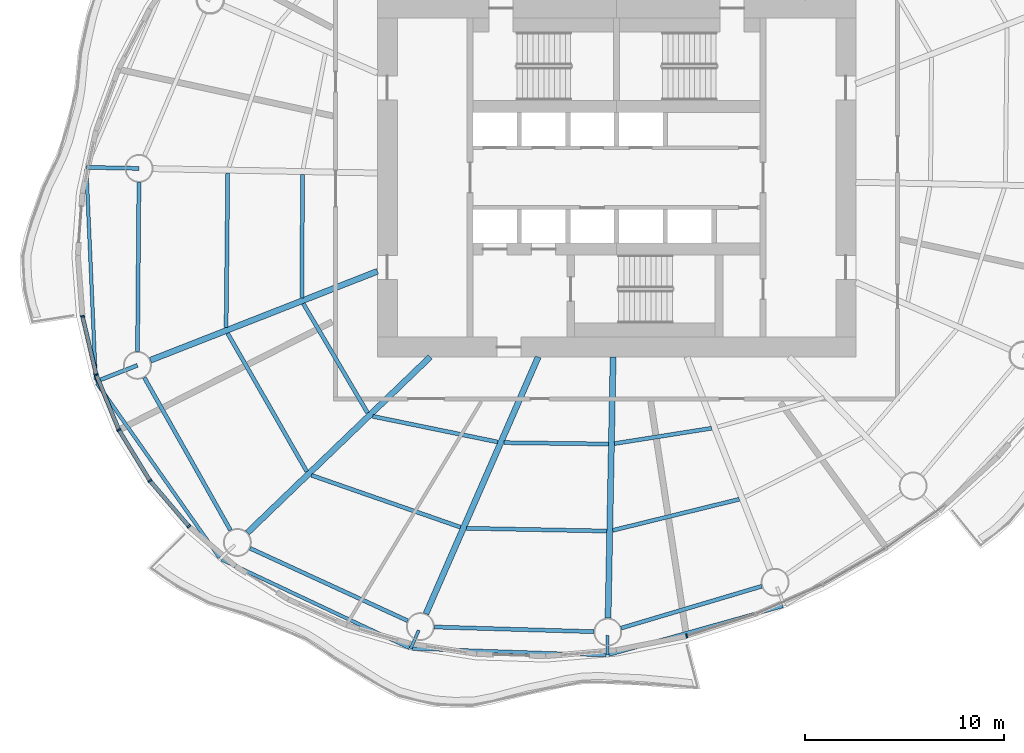
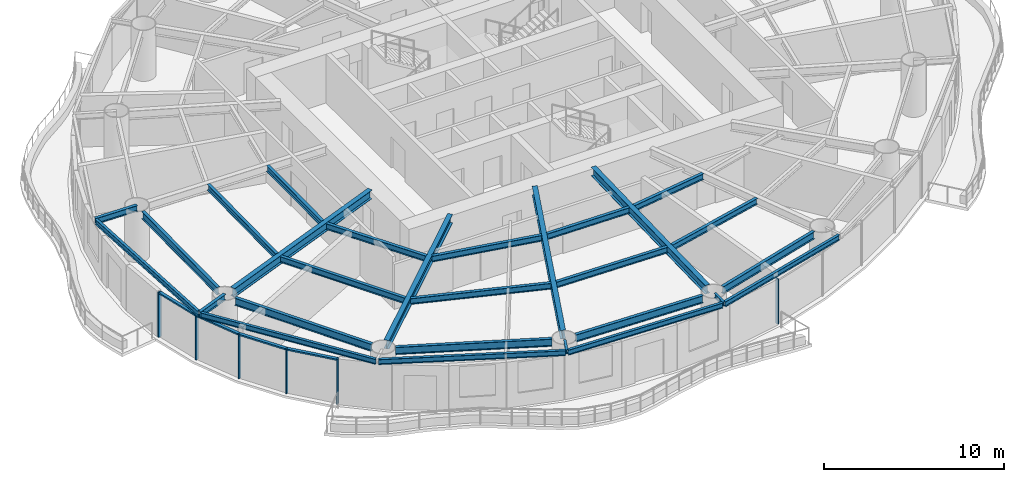
# One storey, part 2 of 14: 28 beams, 10 members, 5 elements without a shape of their own.
"""IFC4 building model written with IfcOpenShell, lengths in metres."""

from ifc_helpers import new_model, si_unit, direction, frame, origin, origin_2d, place, context, subcontext, project, spatial, rectangle, i_section, extrude, material, material_profile, profile_set, type_object, element, aggregate, save


model = new_model("IFC4")

# Units and contexts
model_context = context("Model", 3, precision=1e-05, world=origin(), true_north=direction((0.0, 1.0)))
body_context = subcontext(model_context, "Body", "Model", "MODEL_VIEW")
ifc_project = project(units=[si_unit("LENGTHUNIT", "METRE"), si_unit("AREAUNIT", "SQUARE_METRE"), si_unit("VOLUMEUNIT", "CUBIC_METRE"), si_unit("PLANEANGLEUNIT", "RADIAN"), si_unit("MASSUNIT", "GRAM", prefix="KILO")], contexts=[model_context])

# Site, building, storey
site_placement = place(None, origin())
site = spatial("IfcSite", under=ifc_project, at=site_placement, CompositionType="ELEMENT")
building_placement = place(site_placement, origin())
building = spatial("IfcBuilding", under=site, at=building_placement, Name="Vermilion Reach Broadcast Tower", CompositionType="ELEMENT")
storey_placement = place(building_placement, frame((0.0, 0.0, 143.39990234375)))
storey = spatial("IfcBuildingStorey", under=building, at=storey_placement, Name="L33", CompositionType="ELEMENT", Elevation=143.39990234375)

# Beams
ifc_material_1 = material(Name="Steel S355J2", Category="steel")
ifc_material_profile_1 = material_profile(ifc_material_1, i_section(OverallWidth=0.175048828125, OverallDepth=0.35009765625, WebThickness=0.007080078125, FlangeThickness=0.010986328125, at=origin_2d()), Name="S355J2 HN 350x175x7x11")
ifc_profile_set_1 = profile_set([ifc_material_profile_1], Name="Steel S355J2")
beam_type_1 = type_object("IfcBeamType", Name="EB3 HN 350x175x7x11", PredefinedType="BEAM", material=ifc_profile_set_1)
beam_1_placement = place(storey_placement, frame((-32.599609375, 0.415283203125, 3.275146484375), z_axis=(0.044157954305, -0.999024561796, 0.0), x_axis=(0.999024561796, 0.044157954305, 0.0)))
element("IfcBeam", 1, at=beam_1_placement, inside=storey, type_object=beam_type_1, Name="Edge beam EB3-07", PredefinedType="BEAM", context=body_context, shape_type="SweptSolid", body=[
    extrude(i_section(OverallWidth=0.175048828125, OverallDepth=0.35009765625, WebThickness=0.007080078125, FlangeThickness=0.010986328125, at=origin_2d()), origin(), (0.0, 0.0, 1.0), 10.554443359375),
])
beam_2_placement = place(storey_placement, frame((-32.069580078125, -10.31884765625, 3.275146484375), z_axis=(0.574897985986, -0.818225094769, 0.0), x_axis=(0.818225094769, 0.574897985986, 0.0)))
element("IfcBeam", 2, at=beam_2_placement, inside=storey, type_object=beam_type_1, Name="Edge beam EB3-08", PredefinedType="BEAM", context=body_context, shape_type="SweptSolid", body=[
    extrude(i_section(OverallWidth=0.175048828125, OverallDepth=0.35009765625, WebThickness=0.007080078125, FlangeThickness=0.010986328125, at=origin_2d()), origin(), (0.0, 0.0, 1.0), 10.6875),
])
beam_3_placement = place(storey_placement, frame((-25.80908203125, -19.16015625, 3.275146484375), z_axis=(0.904708610633, -0.426030902455, 0.0), x_axis=(0.426030902455, 0.904708610633, 0.0)))
element("IfcBeam", 3, at=beam_3_placement, inside=storey, type_object=beam_type_1, Name="Edge beam EB3-09", PredefinedType="BEAM", context=body_context, shape_type="SweptSolid", body=[
    extrude(i_section(OverallWidth=0.175048828125, OverallDepth=0.35009765625, WebThickness=0.007080078125, FlangeThickness=0.010986328125, at=origin_2d()), origin(), (0.0, 0.0, 1.0), 10.40625),
])
beam_4_placement = place(storey_placement, frame((-16.24609375, -23.628173828125, 3.275146484375), z_axis=(0.99942574516, -0.033884803553, 0.0), x_axis=(0.033884803553, 0.99942574516, 0.0)))
element("IfcBeam", 4, at=beam_4_placement, inside=storey, type_object=beam_type_1, Name="Edge beam EB3-10", PredefinedType="BEAM", context=body_context, shape_type="SweptSolid", body=[
    extrude(i_section(OverallWidth=0.175048828125, OverallDepth=0.35009765625, WebThickness=0.007080078125, FlangeThickness=0.010986328125, at=origin_2d()), origin(), (0.0, 0.0, 1.0), 9.71240234375),
])
beam_5_placement = place(storey_placement, frame((-6.388916015625, -23.938720703125, 3.275146484375), z_axis=(0.962993947265, 0.269523018554, 0.0), x_axis=(-0.269523018554, 0.962993947265, 0.0)))
element("IfcBeam", 5, at=beam_5_placement, inside=storey, type_object=beam_type_1, Name="Edge beam EB3-11", PredefinedType="BEAM", context=body_context, shape_type="SweptSolid", body=[
    extrude(i_section(OverallWidth=0.175048828125, OverallDepth=0.35009765625, WebThickness=0.007080078125, FlangeThickness=0.010986328125, at=origin_2d()), origin(), (0.0, 0.0, 1.0), 9.063720703125),
])
ifc_material_2 = material(Name="Steel S355J2", Category="steel")
ifc_material_profile_2 = material_profile(ifc_material_2, i_section(OverallWidth=0.300048828125, OverallDepth=0.587890625, WebThickness=0.011962890625, FlangeThickness=0.02001953125, at=origin_2d()), Name="S355J2 HM 588x300x12x20")
ifc_profile_set_2 = profile_set([ifc_material_profile_2], Name="Steel S355J2")
beam_type_2 = type_object("IfcBeamType", Name="G3 HM 588x300x12x20", PredefinedType="BEAM", material=ifc_profile_set_2)
beam_6_placement = place(storey_placement, frame((-18.0, -4.700439453125, 3.156005859375), z_axis=(-0.931124635714, -0.364701128004, 0.0), x_axis=(0.364701128004, -0.931124635714, 0.0)))
element("IfcBeam", 6, at=beam_6_placement, inside=storey, type_object=beam_type_2, Name="Girder G3-08", PredefinedType="BEAM", context=body_context, shape_type="SweptSolid", body=[
    extrude(i_section(OverallWidth=0.300048828125, OverallDepth=0.587890625, WebThickness=0.011962890625, FlangeThickness=0.02001953125, at=origin_2d()), origin(), (0.0, 0.0, 1.0), 12.231201171875),
])
beam_7_placement = place(storey_placement, frame((-15.355712890625, -9.0, 3.156005859375), z_axis=(-0.720670374476, -0.693277874559, 0.0), x_axis=(0.693277874559, -0.720670374476, 0.0)))
element("IfcBeam", 7, at=beam_7_placement, inside=storey, type_object=beam_type_2, Name="Girder G3-09", PredefinedType="BEAM", context=body_context, shape_type="SweptSolid", body=[
    extrude(i_section(OverallWidth=0.300048828125, OverallDepth=0.587890625, WebThickness=0.011962890625, FlangeThickness=0.02001953125, at=origin_2d()), origin(), (0.0, 0.0, 1.0), 12.718505859375),
])
beam_8_placement = place(storey_placement, frame((-9.933837890625, -9.0, 3.156005859375), z_axis=(-0.400519113205, -0.916288404356, 0.0), x_axis=(0.916288404356, -0.400519113205, 0.0)))
element("IfcBeam", 8, at=beam_8_placement, inside=storey, type_object=beam_type_2, Name="Girder G3-10", PredefinedType="BEAM", context=body_context, shape_type="SweptSolid", body=[
    extrude(i_section(OverallWidth=0.300048828125, OverallDepth=0.587890625, WebThickness=0.011962890625, FlangeThickness=0.02001953125, at=origin_2d()), origin(), (0.0, 0.0, 1.0), 14.0595703125),
])
beam_9_placement = place(storey_placement, frame((-6.17431640625, -9.0, 3.156005859375), z_axis=(-0.019378372481, -0.99981222171, 0.0), x_axis=(0.99981222171, -0.019378372481, 0.0)))
element("IfcBeam", 9, at=beam_9_placement, inside=storey, type_object=beam_type_2, Name="Girder G3-11", PredefinedType="BEAM", context=body_context, shape_type="SweptSolid", body=[
    extrude(i_section(OverallWidth=0.300048828125, OverallDepth=0.587890625, WebThickness=0.011962890625, FlangeThickness=0.02001953125, at=origin_2d()), origin(), (0.0, 0.0, 1.0), 13.1025390625),
])
ifc_material_3 = material(Name="Steel S355J2", Category="steel")
ifc_material_profile_3 = material_profile(ifc_material_3, i_section(OverallWidth=0.199951171875, OverallDepth=0.39990234375, WebThickness=0.008056640625, FlangeThickness=0.012939453125, at=origin_2d()), Name="S355J2 HN 400x200x8x13")
ifc_profile_set_3 = profile_set([ifc_material_profile_3], Name="Steel S355J2")
beam_type_3 = type_object("IfcBeamType", Name="GC3 HN 400x200x8x13", PredefinedType="BEAM", material=ifc_profile_set_3)
beam_10_placement = place(storey_placement, frame((-29.95947265625, 0.464111328125, 3.25), z_axis=(-0.999812125046, 0.019383359145, 0.0), x_axis=(-0.019383359145, -0.999812125046, 0.0)))
element("IfcBeam", 10, at=beam_10_placement, inside=storey, type_object=beam_type_3, Name="Cantilever girder GC3-07", PredefinedType="BEAM", context=body_context, shape_type="SweptSolid", body=[
    extrude(i_section(OverallWidth=0.199951171875, OverallDepth=0.39990234375, WebThickness=0.008056640625, FlangeThickness=0.012939453125, at=origin_2d()), origin(), (0.0, 0.0, 1.0), 2.64501953125),
])
beam_11_placement = place(storey_placement, frame((-30.04052734375, -9.41650390625, 3.25), z_axis=(-0.931102990664, -0.364756385517, 0.0), x_axis=(0.364756385517, -0.931102990664, 0.0)))
element("IfcBeam", 11, at=beam_11_placement, inside=storey, type_object=beam_type_3, Name="Cantilever girder GC3-08", PredefinedType="BEAM", context=body_context, shape_type="SweptSolid", body=[
    extrude(i_section(OverallWidth=0.199951171875, OverallDepth=0.39990234375, WebThickness=0.008056640625, FlangeThickness=0.012939453125, at=origin_2d()), origin(), (0.0, 0.0, 1.0), 2.242919921875),
])
ifc_material_4 = material(Name="Steel S355J2", Category="steel")
ifc_material_profile_4 = material_profile(ifc_material_4, i_section(OverallWidth=0.14990234375, OverallDepth=0.300048828125, WebThickness=0.006591796875, FlangeThickness=0.009033203125, at=origin_2d()), Name="S355J2 HN 300x150x6.5x9")
ifc_profile_set_4 = profile_set([ifc_material_profile_4], Name="Steel S355J2")
beam_type_4 = type_object("IfcBeamType", Name="GS3 HN 300x150x6.5x9", PredefinedType="BEAM", material=ifc_profile_set_4)
for number, where, z_axis, x_axis, name in (
    (12, (-15.926025390625, -22.709228515625, 3.300048828125), (-0.400626718411, -0.916241361485, 0.0), (0.916241361485, -0.400626718411, 0.0), "Cantilever stub GS3-10"),
    (13, (-6.44482421875, -22.9599609375, 3.300048828125), (-0.019532292583, -0.999809226576, 0.0), (0.999809226576, -0.019532292583, 0.0), "Cantilever stub GS3-11"),
):
    element("IfcBeam", number, at=place(storey_placement, frame(where, z_axis=z_axis, x_axis=x_axis)), inside=storey, type_object=beam_type_4, Name=name, PredefinedType="BEAM", context=body_context, shape_type="SweptSolid", body=[
        extrude(i_section(OverallWidth=0.14990234375, OverallDepth=0.300048828125, WebThickness=0.006591796875, FlangeThickness=0.009033203125, at=origin_2d()), origin(), (0.0, 0.0, 1.0), 1.0),
    ])
ifc_material_5 = material(Name="Steel S355J2", Category="steel")
ifc_material_profile_5 = material_profile(ifc_material_5, i_section(OverallWidth=0.199951171875, OverallDepth=0.5, WebThickness=0.010009765625, FlangeThickness=0.01611328125, at=origin_2d()), Name="S355J2 HN 500x200x10x16")
ifc_profile_set_5 = profile_set([ifc_material_profile_5], Name="Steel S355J2")
beam_type_5 = type_object("IfcBeamType", Name="RB3 HN 500x200x10x16", PredefinedType="BEAM", material=ifc_profile_set_5)
beam_12_placement = place(storey_placement, frame((-29.965087890625, -0.23583984375, 3.2001953125), z_axis=(-0.008204232036, -0.999966344722, 0.0), x_axis=(0.999966344722, -0.008204232036, 0.0)))
element("IfcBeam", 14, at=beam_12_placement, inside=storey, type_object=beam_type_5, Name="Ring beam RB3-07", PredefinedType="BEAM", context=body_context, shape_type="SweptSolid", body=[
    extrude(i_section(OverallWidth=0.199951171875, OverallDepth=0.5, WebThickness=0.010009765625, FlangeThickness=0.01611328125, at=origin_2d()), origin(), (0.0, 0.0, 1.0), 8.48095703125),
])
beam_13_placement = place(storey_placement, frame((-29.696533203125, -10.026123046875, 3.2001953125), z_axis=(0.491466825026, -0.870896296869, 0.0), x_axis=(0.870896296869, 0.491466825026, 0.0)))
element("IfcBeam", 15, at=beam_13_placement, inside=storey, type_object=beam_type_5, Name="Ring beam RB3-08", PredefinedType="BEAM", context=body_context, shape_type="SweptSolid", body=[
    extrude(i_section(OverallWidth=0.199951171875, OverallDepth=0.5, WebThickness=0.010009765625, FlangeThickness=0.01611328125, at=origin_2d()), origin(), (0.0, 0.0, 1.0), 8.803466796875),
])
beam_14_placement = place(storey_placement, frame((-24.389892578125, -18.594970703125, 3.2001953125), z_axis=(0.908546241769, -0.417784306272, 0.0), x_axis=(0.417784306272, 0.908546241769, 0.0)))
element("IfcBeam", 16, at=beam_14_placement, inside=storey, type_object=beam_type_5, Name="Ring beam RB3-09", PredefinedType="BEAM", context=body_context, shape_type="SweptSolid", body=[
    extrude(i_section(OverallWidth=0.199951171875, OverallDepth=0.5, WebThickness=0.010009765625, FlangeThickness=0.01611328125, at=origin_2d()), origin(), (0.0, 0.0, 1.0), 8.704833984375),
])
beam_15_placement = place(storey_placement, frame((-15.1455078125, -22.544677734375, 3.2001953125), z_axis=(0.999569781146, -0.029330063427, 0.0), x_axis=(0.029330063427, 0.999569781146, 0.0)))
element("IfcBeam", 17, at=beam_15_placement, inside=storey, type_object=beam_type_5, Name="Ring beam RB3-10", PredefinedType="BEAM", context=body_context, shape_type="SweptSolid", body=[
    extrude(i_section(OverallWidth=0.199951171875, OverallDepth=0.5, WebThickness=0.010009765625, FlangeThickness=0.01611328125, at=origin_2d()), origin(), (0.0, 0.0, 1.0), 8.007568359375),
])
beam_16_placement = place(storey_placement, frame((-5.770751953125, -22.60009765625, 3.2001953125), z_axis=(0.958416970322, 0.285371531516, 0.0), x_axis=(-0.285371531516, 0.958416970322, 0.0)))
element("IfcBeam", 18, at=beam_16_placement, inside=storey, type_object=beam_type_5, Name="Ring beam RB3-11", PredefinedType="BEAM", context=body_context, shape_type="SweptSolid", body=[
    extrude(i_section(OverallWidth=0.199951171875, OverallDepth=0.5, WebThickness=0.010009765625, FlangeThickness=0.01611328125, at=origin_2d()), origin(), (0.0, 0.0, 1.0), 7.357421875),
])
ifc_material_6 = material(Name="Steel S355J2", Category="steel")
ifc_material_profile_6 = material_profile(ifc_material_6, i_section(OverallWidth=0.199951171875, OverallDepth=0.39990234375, WebThickness=0.008056640625, FlangeThickness=0.012939453125, at=origin_2d()), Name="S355J2 HN 400x200x8x13")
ifc_profile_set_6 = profile_set([ifc_material_profile_6], Name="Steel S355J2")
beam_type_6 = type_object("IfcBeamType", Name="SB3 HN 400x200x8x13", PredefinedType="BEAM", material=ifc_profile_set_6)
beam_17_placement = place(storey_placement, frame((-21.754150390625, 0.1552734375, 3.25), z_axis=(-0.006635449147, -0.999977985165, 0.0), x_axis=(0.999977985165, -0.006635449147, 0.0)))
element("IfcBeam", 19, at=beam_17_placement, inside=storey, type_object=beam_type_6, Name="Secondary beam SB3-07-1", PredefinedType="BEAM", context=body_context, shape_type="SweptSolid", body=[
    extrude(i_section(OverallWidth=0.199951171875, OverallDepth=0.39990234375, WebThickness=0.008056640625, FlangeThickness=0.012939453125, at=origin_2d()), origin(), (0.0, 0.0, 1.0), 6.181396484375),
])
beam_18_placement = place(storey_placement, frame((-25.508056640625, 0.22802734375, 3.25), z_axis=(-0.010691708672, -0.999942842049, 0.0), x_axis=(0.999942842049, -0.010691708672, 0.0)))
element("IfcBeam", 20, at=beam_18_placement, inside=storey, type_object=beam_type_6, Name="Secondary beam SB3-07-2", PredefinedType="BEAM", context=body_context, shape_type="SweptSolid", body=[
    extrude(i_section(OverallWidth=0.199951171875, OverallDepth=0.39990234375, WebThickness=0.008056640625, FlangeThickness=0.012939453125, at=origin_2d()), origin(), (0.0, 0.0, 1.0), 7.740966796875),
])
beam_19_placement = place(storey_placement, frame((-21.71923828125, -6.318115234375, 3.25), z_axis=(0.507249643612, -0.861799163991, 0.0), x_axis=(0.861799163991, 0.507249643612, 0.0)))
element("IfcBeam", 21, at=beam_19_placement, inside=storey, type_object=beam_type_6, Name="Secondary beam SB3-08-1", PredefinedType="BEAM", context=body_context, shape_type="SweptSolid", body=[
    extrude(i_section(OverallWidth=0.199951171875, OverallDepth=0.39990234375, WebThickness=0.008056640625, FlangeThickness=0.012939453125, at=origin_2d()), origin(), (0.0, 0.0, 1.0), 6.3681640625),
])
beam_20_placement = place(storey_placement, frame((-25.51708984375, -7.805908203125, 3.25), z_axis=(0.497026503115, -0.867735360119, 0.0), x_axis=(0.867735360119, 0.497026503115, 0.0)))
element("IfcBeam", 22, at=beam_20_placement, inside=storey, type_object=beam_type_6, Name="Secondary beam SB3-08-2", PredefinedType="BEAM", context=body_context, shape_type="SweptSolid", body=[
    extrude(i_section(OverallWidth=0.199951171875, OverallDepth=0.39990234375, WebThickness=0.008056640625, FlangeThickness=0.012939453125, at=origin_2d()), origin(), (0.0, 0.0, 1.0), 7.995849609375),
])
beam_21_placement = place(storey_placement, frame((-18.232666015625, -11.975830078125, 3.25), z_axis=(0.97956765607, -0.201114910391, 0.0), x_axis=(0.201114910391, 0.97956765607, 0.0)))
element("IfcBeam", 23, at=beam_21_placement, inside=storey, type_object=beam_type_6, Name="Secondary beam SB3-09-1", PredefinedType="BEAM", context=body_context, shape_type="SweptSolid", body=[
    extrude(i_section(OverallWidth=0.199951171875, OverallDepth=0.39990234375, WebThickness=0.008056640625, FlangeThickness=0.012939453125, at=origin_2d()), origin(), (0.0, 0.0, 1.0), 6.40234375),
])
beam_22_placement = place(storey_placement, frame((-21.307373046875, -14.93359375, 3.25), z_axis=(0.94431696779, -0.329037177754, 0.0), x_axis=(0.329037177754, 0.94431696779, 0.0)))
element("IfcBeam", 24, at=beam_22_placement, inside=storey, type_object=beam_type_6, Name="Secondary beam SB3-09-2", PredefinedType="BEAM", context=body_context, shape_type="SweptSolid", body=[
    extrude(i_section(OverallWidth=0.199951171875, OverallDepth=0.39990234375, WebThickness=0.008056640625, FlangeThickness=0.012939453125, at=origin_2d()), origin(), (0.0, 0.0, 1.0), 7.91845703125),
])
beam_23_placement = place(storey_placement, frame((-11.648193359375, -13.29638671875, 3.25), z_axis=(0.999914891843, -0.013046419838, 0.0), x_axis=(0.013046419838, 0.999914891843, 0.0)))
element("IfcBeam", 25, at=beam_23_placement, inside=storey, type_object=beam_type_6, Name="Secondary beam SB3-10-1", PredefinedType="BEAM", context=body_context, shape_type="SweptSolid", body=[
    extrude(i_section(OverallWidth=0.199951171875, OverallDepth=0.39990234375, WebThickness=0.008056640625, FlangeThickness=0.012939453125, at=origin_2d()), origin(), (0.0, 0.0, 1.0), 5.23974609375),
])
beam_24_placement = place(storey_placement, frame((-13.525634765625, -17.591552734375, 3.25), z_axis=(0.999804929321, -0.019751033045, 0.0), x_axis=(0.019751033045, 0.999804929321, 0.0)))
element("IfcBeam", 26, at=beam_24_placement, inside=storey, type_object=beam_type_6, Name="Secondary beam SB3-10-2", PredefinedType="BEAM", context=body_context, shape_type="SweptSolid", body=[
    extrude(i_section(OverallWidth=0.199951171875, OverallDepth=0.39990234375, WebThickness=0.008056640625, FlangeThickness=0.012939453125, at=origin_2d()), origin(), (0.0, 0.0, 1.0), 7.033447265625),
])
beam_25_placement = place(storey_placement, frame((-6.1083984375, -13.343017578125, 3.25), z_axis=(0.987756142208, 0.15600578044, 0.0), x_axis=(-0.15600578044, 0.987756142208, 0.0)))
element("IfcBeam", 27, at=beam_25_placement, inside=storey, type_object=beam_type_6, Name="Secondary beam SB3-11-1", PredefinedType="BEAM", context=body_context, shape_type="SweptSolid", body=[
    extrude(i_section(OverallWidth=0.199951171875, OverallDepth=0.39990234375, WebThickness=0.008056640625, FlangeThickness=0.012939453125, at=origin_2d()), origin(), (0.0, 0.0, 1.0), 4.9326171875),
])
beam_26_placement = place(storey_placement, frame((-6.19287109375, -17.6962890625, 3.25), z_axis=(0.971111691931, 0.238625400566, 0.0), x_axis=(-0.238625400566, 0.971111691931, 0.0)))
element("IfcBeam", 28, at=beam_26_placement, inside=storey, type_object=beam_type_6, Name="Secondary beam SB3-11-2", PredefinedType="BEAM", context=body_context, shape_type="SweptSolid", body=[
    extrude(i_section(OverallWidth=0.199951171875, OverallDepth=0.39990234375, WebThickness=0.008056640625, FlangeThickness=0.012939453125, at=origin_2d()), origin(), (0.0, 0.0, 1.0), 6.540771484375),
])

# Curtain wall, member
ifc_material_7 = material(Name="Low-e laminated clear glass in aluminium frame", Category="aluminium")
curtain_wall_type = type_object("IfcCurtainWallType", Name="Slot curtain wall", PredefinedType="NOTDEFINED", material=ifc_material_7)
placement = place(storey_placement, origin())
curtain_wall_1 = element("IfcCurtainWall", 29, at=placement, inside=storey, type_object=curtain_wall_type, Name="Slot curtain wall L33 22", PredefinedType="NOTDEFINED")
ifc_material_8 = material(Name="Anodised aluminium", Category="aluminium")
ifc_material_profile_7 = material_profile(ifc_material_8, rectangle(XDim=0.199951171875, YDim=0.080078125, at=origin_2d()), Name="Slot mullion 80 x 200")
ifc_profile_set_7 = profile_set([ifc_material_profile_7], Name="Anodised aluminium")
member_type_1 = type_object("IfcMemberType", Name="Slot mullion 80 x 200", PredefinedType="MULLION", material=ifc_profile_set_7)
member_1_placement = place(storey_placement, frame((-32.79541015625, -6.958740234375, 0.0), z_axis=(0.0, 0.0, 1.0), x_axis=(0.98821084004, 0.153099103942, 0.0)))
member_1 = element("IfcMember", 30, at=member_1_placement, type_object=member_type_1, Name="Slot mullion L33 22", PredefinedType="MULLION", context=body_context, shape_type="SweptSolid", body=[
    extrude(rectangle(XDim=0.199951171875, YDim=0.080078125, at=origin_2d()), origin(), (0.0, 0.0, 1.0), 3.050048828125),
])

curtain_wall_2 = element("IfcCurtainWall", 31, at=placement, inside=storey, type_object=curtain_wall_type, Name="Slot curtain wall L33 23", PredefinedType="NOTDEFINED")
member_2_placement = place(storey_placement, frame((-32.105224609375, -9.892822265625, 0.0), z_axis=(0.0, 0.0, 1.0), x_axis=(0.952283391858, 0.305215238138, 0.0)))
member_2 = element("IfcMember", 32, at=member_2_placement, type_object=member_type_1, Name="Slot mullion L33 23", PredefinedType="MULLION", context=body_context, shape_type="SweptSolid", body=[
    extrude(rectangle(XDim=0.199951171875, YDim=0.080078125, at=origin_2d()), origin(), (0.0, 0.0, 1.0), 3.050048828125),
])

curtain_wall_3 = element("IfcCurtainWall", 33, at=placement, inside=storey, type_object=curtain_wall_type, Name="Slot curtain wall L33 24", PredefinedType="NOTDEFINED")
member_3_placement = place(storey_placement, frame((-30.970947265625, -12.657470703125, 0.0), z_axis=(0.0, 0.0, 1.0), x_axis=(0.891955398575, 0.452123397927, 0.0)))
member_3 = element("IfcMember", 34, at=member_3_placement, type_object=member_type_1, Name="Slot mullion L33 24", PredefinedType="MULLION", context=body_context, shape_type="SweptSolid", body=[
    extrude(rectangle(XDim=0.199951171875, YDim=0.080078125, at=origin_2d()), origin(), (0.0, 0.0, 1.0), 3.050048828125),
])

# Curtain wall, members
curtain_wall_4 = element("IfcCurtainWall", 35, at=placement, inside=storey, type_object=curtain_wall_type, Name="Slot curtain wall L33 25", PredefinedType="NOTDEFINED")
member_4_placement = place(storey_placement, frame((-29.41162109375, -15.206787109375, 0.0), z_axis=(0.0, 0.0, 1.0), x_axis=(0.80913103566, 0.587628255899, 0.0)))
member_4 = element("IfcMember", 36, at=member_4_placement, type_object=member_type_1, Name="Slot mullion L33 25", PredefinedType="MULLION", context=body_context, shape_type="SweptSolid", body=[
    extrude(rectangle(XDim=0.199951171875, YDim=0.080078125, at=origin_2d()), origin(), (0.0, 0.0, 1.0), 3.050048828125),
])
member_5_placement = place(storey_placement, frame((-27.453125, -17.498046875, 0.0), z_axis=(0.0, 0.0, 1.0), x_axis=(0.707681263453, 0.706531831808, 0.0)))
member_5 = element("IfcMember", 37, at=member_5_placement, type_object=member_type_1, Name="Slot mullion L33 26", PredefinedType="MULLION", context=body_context, shape_type="SweptSolid", body=[
    extrude(rectangle(XDim=0.199951171875, YDim=0.080078125, at=origin_2d()), origin(), (0.0, 0.0, 1.0), 3.050048828125),
])

# Curtain wall, member
curtain_wall_5 = element("IfcCurtainWall", 38, at=placement, inside=storey, type_object=curtain_wall_type, Name="Slot curtain wall L33 34", PredefinedType="NOTDEFINED")
member_6_placement = place(storey_placement, frame((-2.481201171875, -22.99755859375, 0.0), z_axis=(0.0, 0.0, 1.0), x_axis=(-0.250025181148, 0.968239334458, 0.0)))
member_6 = element("IfcMember", 39, at=member_6_placement, type_object=member_type_1, Name="Slot mullion L33 34", PredefinedType="MULLION", context=body_context, shape_type="SweptSolid", body=[
    extrude(rectangle(XDim=0.199951171875, YDim=0.080078125, at=origin_2d()), origin(), (0.0, 0.0, 1.0), 3.050048828125),
])
aggregate(curtain_wall_5, [member_6])

# Member
ifc_material_9 = material(Name="Anodised aluminium", Category="aluminium")
ifc_material_profile_8 = material_profile(ifc_material_9, rectangle(XDim=0.199951171875, YDim=0.10009765625, at=origin_2d()), Name="Slot transom 200 x 100")
ifc_profile_set_8 = profile_set([ifc_material_profile_8], Name="Anodised aluminium")
member_type_2 = type_object("IfcMemberType", Name="Slot transom 200 x 100", PredefinedType="USERDEFINED", material=ifc_profile_set_8)
member_7_placement = place(storey_placement, frame((-32.786376953125, -6.99755859375, 3.0), z_axis=(0.228983680627, -0.973430261501, 0.0), x_axis=(0.973430261501, 0.228983680627, 0.0)))
member_7 = element("IfcMember", 40, at=member_7_placement, type_object=member_type_2, Name="Slot transom L33 22.1", ObjectType="TRANSOM", PredefinedType="USERDEFINED", context=body_context, shape_type="SweptSolid", body=[
    extrude(rectangle(XDim=0.199951171875, YDim=0.10009765625, at=origin_2d()), origin(), (0.0, 0.0, 1.0), 2.93408203125),
])

aggregate(curtain_wall_1, [member_1, member_7])

member_8_placement = place(storey_placement, frame((-32.090087890625, -9.9296875, 3.0), z_axis=(0.379495561074, -0.925193557654, 0.0), x_axis=(0.925193557654, 0.379495561074, 0.0)))
member_8 = element("IfcMember", 41, at=member_8_placement, type_object=member_type_2, Name="Slot transom L33 23.1", ObjectType="TRANSOM", PredefinedType="USERDEFINED", context=body_context, shape_type="SweptSolid", body=[
    extrude(rectangle(XDim=0.199951171875, YDim=0.10009765625, at=origin_2d()), origin(), (0.0, 0.0, 1.0), 2.908447265625),
])

aggregate(curtain_wall_2, [member_2, member_8])

member_9_placement = place(storey_placement, frame((-30.9501953125, -12.691650390625, 3.0), z_axis=(0.521772529072, -0.853084654595, 0.0), x_axis=(0.853084654595, 0.521772529072, 0.0)))
member_9 = element("IfcMember", 42, at=member_9_placement, type_object=member_type_2, Name="Slot transom L33 24.1", ObjectType="TRANSOM", PredefinedType="USERDEFINED", context=body_context, shape_type="SweptSolid", body=[
    extrude(rectangle(XDim=0.199951171875, YDim=0.10009765625, at=origin_2d()), origin(), (0.0, 0.0, 1.0), 2.908447265625),
])

aggregate(curtain_wall_3, [member_3, member_9])

member_10_placement = place(storey_placement, frame((-29.3857421875, -15.2373046875, 3.0), z_axis=(0.649783475517, -0.760119355723, 0.0), x_axis=(0.760119355723, 0.649783475517, 0.0)))
member_10 = element("IfcMember", 43, at=member_10_placement, type_object=member_type_2, Name="Slot transom L33 25.1", ObjectType="TRANSOM", PredefinedType="USERDEFINED", context=body_context, shape_type="SweptSolid", body=[
    extrude(rectangle(XDim=0.199951171875, YDim=0.10009765625, at=origin_2d()), origin(), (0.0, 0.0, 1.0), 2.93408203125),
])

aggregate(curtain_wall_4, [member_4, member_5, member_10])

save(model, "model.ifc")
